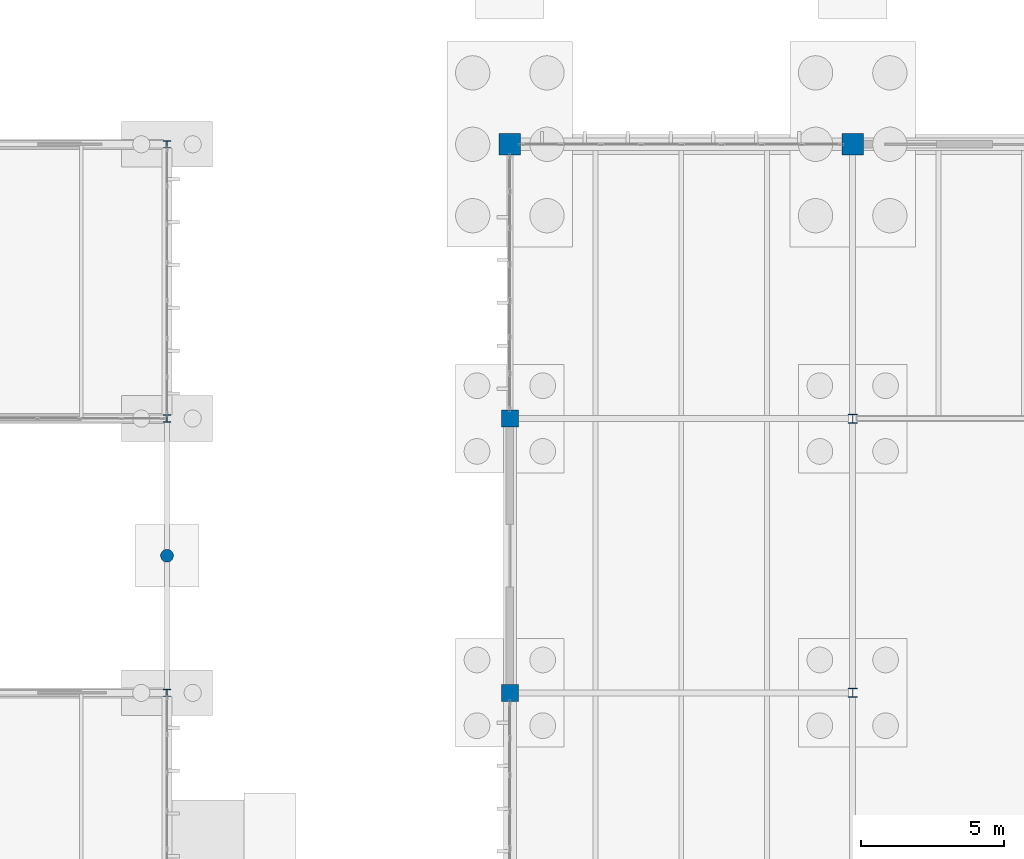
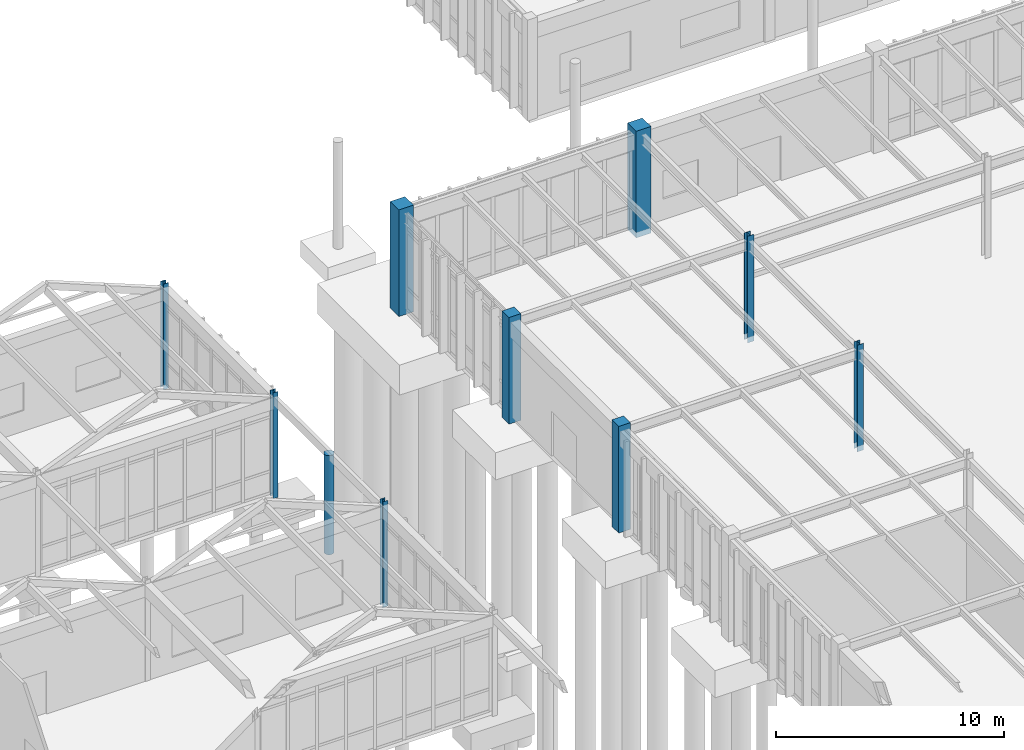
# One storey, part 12 of 188: 10 columns.
"""IFC4 building model written with IfcOpenShell, lengths in metres."""

from ifc_helpers import new_model, si_unit, direction, frame, origin, origin_2d, place, context, subcontext, project, spatial, rectangle, circle, i_section, extrude, material, material_profile, profile_set, type_object, element, save


model = new_model("IFC4")

# Units and contexts
model_context = context("Model", 3, precision=1e-05, world=origin(), true_north=direction((0.0, 1.0)))
body_context = subcontext(model_context, "Body", "Model", "MODEL_VIEW")
ifc_project = project(units=[si_unit("LENGTHUNIT", "METRE"), si_unit("AREAUNIT", "SQUARE_METRE"), si_unit("VOLUMEUNIT", "CUBIC_METRE"), si_unit("PLANEANGLEUNIT", "RADIAN"), si_unit("MASSUNIT", "GRAM", prefix="KILO")], contexts=[model_context])

# Site, building, storey
site_placement = place(None, origin())
site = spatial("IfcSite", under=ifc_project, at=site_placement, CompositionType="ELEMENT")
building_placement = place(site_placement, origin())
building = spatial("IfcBuilding", under=site, at=building_placement, Name="Pandanus Reach Market Hall", CompositionType="ELEMENT")
storey_placement = place(building_placement, origin())
storey = spatial("IfcBuildingStorey", under=building, at=storey_placement, Name="L00", CompositionType="ELEMENT", Elevation=0.0)

# Columns
ifc_material_1 = material(Name="Concrete N40 (40 MPa)", Category="concrete")
ifc_material_profile_1 = material_profile(ifc_material_1, rectangle(XDim=0.60009765625, YDim=0.60009765625, at=origin_2d()), Name="RC600x600", Category="LoadBearing")
ifc_profile_set_1 = profile_set([ifc_material_profile_1], Name="Concrete N40 (40 MPa)")
column_type_1 = type_object("IfcColumnType", Name="CL-RC600-E", PredefinedType="COLUMN", material=ifc_profile_set_1)
for number, where, z_axis, x_axis, name in (
    (1, (48.0, 76.800048828125, -0.300048828125), (0.0, 0.0, 1.0), (1.0, 0.0, 0.0), "Column CL-RC600-E V1M-48-768 L00"),
    (2, (48.0, 67.199951171875, -0.300048828125), (0.0, 0.0, 1.0), (1.0, 0.0, 0.0), "Column CL-RC600-E V1G-48-672 L00"),
):
    element("IfcColumn", number, at=place(storey_placement, frame(where, z_axis=z_axis, x_axis=x_axis)), inside=storey, type_object=column_type_1, Name=name, PredefinedType="COLUMN", context=body_context, shape_type="SweptSolid", body=[
        extrude(rectangle(XDim=0.60009765625, YDim=0.60009765625, at=origin_2d()), origin(), (0.0, 0.0, 1.0), 5.699951171875),
    ])
ifc_material_2 = material(Name="Concrete N50 (50 MPa)", Category="concrete")
ifc_material_profile_2 = material_profile(ifc_material_2, rectangle(XDim=0.75, YDim=0.75, at=origin_2d()), Name="RC750x750", Category="LoadBearing")
ifc_profile_set_2 = profile_set([ifc_material_profile_2], Name="Concrete N50 (50 MPa)")
column_type_2 = type_object("IfcColumnType", Name="CL-RC750-E", PredefinedType="COLUMN", material=ifc_profile_set_2)
for number, where, z_axis, x_axis, name in (
    (3, (48.0, 86.39990234375, -0.300048828125), (0.0, 0.0, 1.0), (1.0, 0.0, 0.0), "Column CL-RC750-E V1A-48-864 L00"),
    (4, (60.0, 86.39990234375, -0.300048828125), (0.0, 0.0, 1.0), (1.0, 0.0, 0.0), "Column CL-RC750-E V1A-60-864 L00"),
):
    element("IfcColumn", number, at=place(storey_placement, frame(where, z_axis=z_axis, x_axis=x_axis)), inside=storey, type_object=column_type_2, Name=name, PredefinedType="COLUMN", context=body_context, shape_type="SweptSolid", body=[
        extrude(rectangle(XDim=0.75, YDim=0.75, at=origin_2d()), origin(), (0.0, 0.0, 1.0), 5.699951171875),
    ])
ifc_material_3 = material(Name="Steel Grade 350 (350 MPa)", Category="steel")
ifc_material_profile_3 = material_profile(ifc_material_3, i_section(OverallWidth=0.25390625, OverallDepth=0.25390625, WebThickness=0.008544921875, FlangeThickness=0.01416015625, at=origin_2d()), Name="250UC72.9", Category="LoadBearing")
ifc_profile_set_3 = profile_set([ifc_material_profile_3], Name="Steel Grade 350 (350 MPa)")
column_type_3 = type_object("IfcColumnType", Name="CL-UC250-E", PredefinedType="COLUMN", material=ifc_profile_set_3)
for number, where, z_axis, x_axis, name in (
    (5, (36.0, 67.199951171875, -0.2548828125), (0.0, 0.0, 1.0), (1.0, 0.0, 0.0), "Column CL-UC250-E V2-36-672 L00"),
    (6, (36.0, 76.800048828125, -0.2548828125), (0.0, 0.0, 1.0), (1.0, 0.0, 0.0), "Column CL-UC250-E V2-36-768 L00"),
    (7, (36.0, 86.39990234375, -0.2548828125), (0.0, 0.0, 1.0), (1.0, 0.0, 0.0), "Column CL-UC250-E V2-36-864 L00"),
):
    element("IfcColumn", number, at=place(storey_placement, frame(where, z_axis=z_axis, x_axis=x_axis)), inside=storey, type_object=column_type_3, Name=name, PredefinedType="COLUMN", context=body_context, shape_type="SweptSolid", body=[
        extrude(i_section(OverallWidth=0.25390625, OverallDepth=0.25390625, WebThickness=0.008544921875, FlangeThickness=0.01416015625, at=origin_2d()), origin(), (0.0, 0.0, 1.0), 5.65478515625),
    ])
ifc_material_profile_4 = material_profile(ifc_material_3, i_section(OverallWidth=0.306884765625, OverallDepth=0.31494140625, WebThickness=0.011962890625, FlangeThickness=0.018798828125, at=origin_2d()), Name="310UC118", Category="LoadBearing")
ifc_profile_set_4 = profile_set([ifc_material_profile_4], Name="Steel Grade 350 (350 MPa)")
column_type_4 = type_object("IfcColumnType", Name="CL-UC310-I", PredefinedType="COLUMN", material=ifc_profile_set_4)
for number, where, z_axis, x_axis, name in (
    (8, (60.0, 76.800048828125, -0.300048828125), (0.0, 0.0, 1.0), (1.0, 0.0, 0.0), "Column CL-UC310-I V1M-60-768 L00"),
    (9, (60.0, 67.199951171875, -0.300048828125), (0.0, 0.0, 1.0), (1.0, 0.0, 0.0), "Column CL-UC310-I V1G-60-672 L00"),
):
    element("IfcColumn", number, at=place(storey_placement, frame(where, z_axis=z_axis, x_axis=x_axis)), inside=storey, type_object=column_type_4, Name=name, PredefinedType="COLUMN", context=body_context, shape_type="SweptSolid", body=[
        extrude(i_section(OverallWidth=0.306884765625, OverallDepth=0.31494140625, WebThickness=0.011962890625, FlangeThickness=0.018798828125, at=origin_2d()), origin(), (0.0, 0.0, 1.0), 5.699951171875),
    ])
ifc_material_4 = material(Name="Precast concrete S50 (50 MPa)", Category="concrete")
ifc_material_profile_5 = material_profile(ifc_material_4, circle(Radius=0.22509765625, at=origin_2d()), Name="RC450D", Category="LoadBearing")
ifc_profile_set_5 = profile_set([ifc_material_profile_5], Name="Precast concrete S50 (50 MPa)")
column_type_5 = type_object("IfcColumnType", Name="PL-RC450-E", PredefinedType="PILASTER", material=ifc_profile_set_5)
column_placement = place(storey_placement, frame((36.0, 72.0, -0.300048828125), z_axis=(0.0, 0.0, 1.0), x_axis=(1.0, 0.0, 0.0)))
element("IfcColumn", 10, at=column_placement, inside=storey, type_object=column_type_5, Name="Arcade pilaster P26", PredefinedType="PILASTER", context=body_context, shape_type="SweptSolid", body=[
    extrude(circle(Radius=0.22509765625, at=origin_2d()), origin(), (0.0, 0.0, 1.0), 5.300048828125),
])

save(model, "model.ifc")
